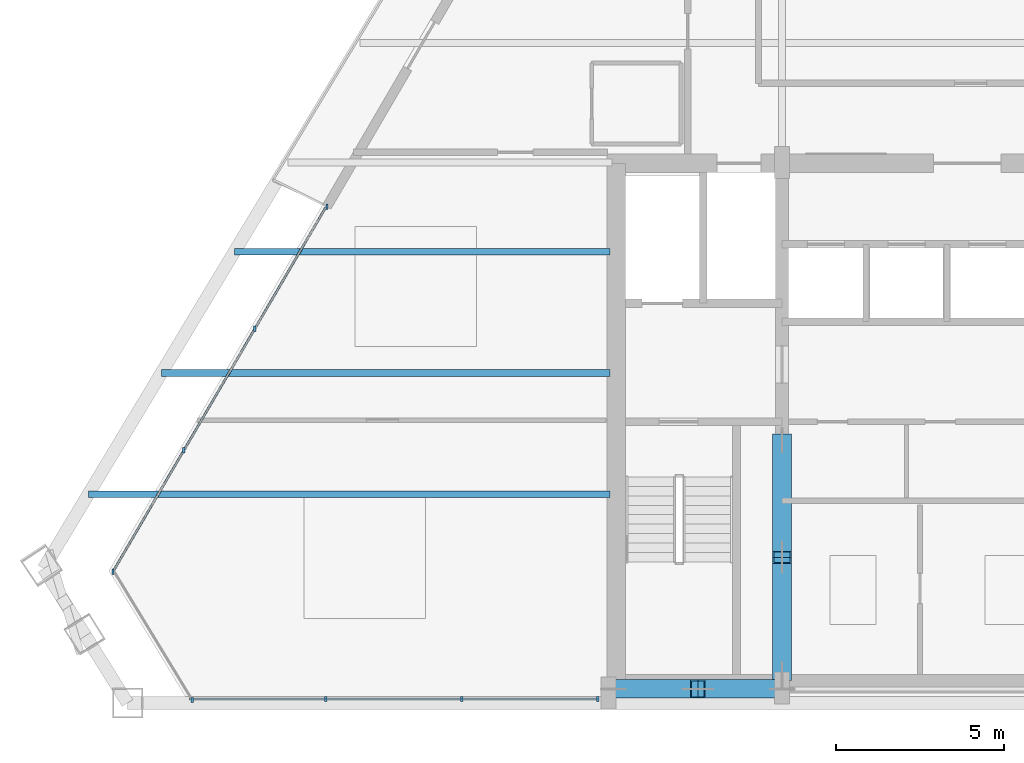
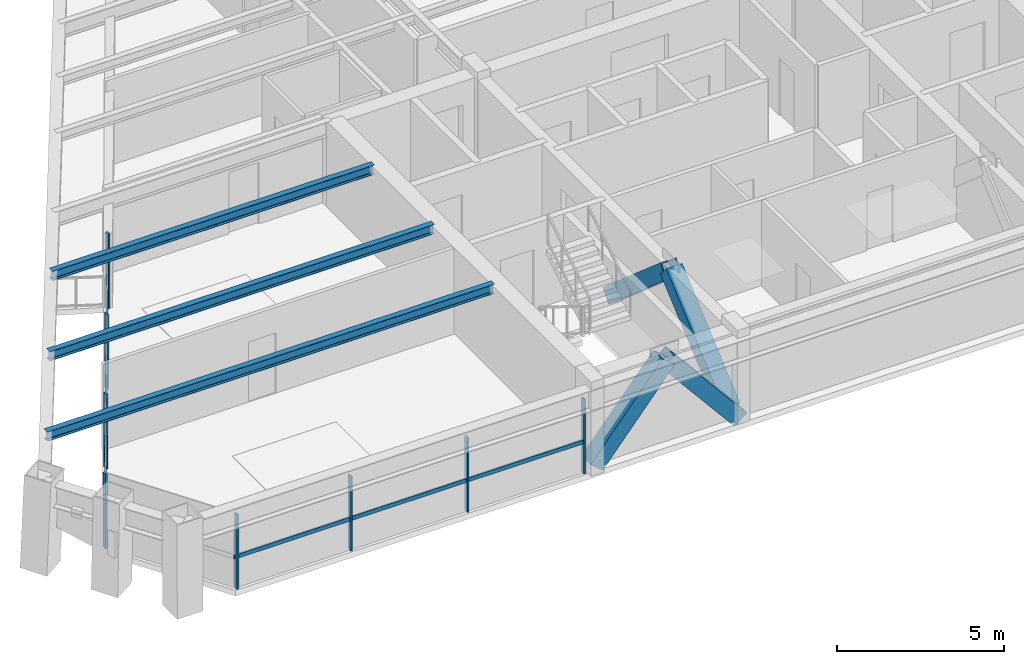
# One storey, part 2 of 13: 18 members, 3 beams, 3 elements without a shape of their own.
"""IFC4 building model written with IfcOpenShell, lengths in metres."""

from ifc_helpers import new_model, si_unit, direction, frame, origin, origin_2d, place, context, subcontext, project, spatial, rectangle, hollow_rectangle, i_section, extrude, source, transform, mapped, material, material_profile, profile_set, type_object, element, aggregate, save


model = new_model("IFC4")

# Units and contexts
model_context = context("Model", 3, precision=1e-05, world=origin(), true_north=direction((0.0, 1.0)))
body_context = subcontext(model_context, "Body", "Model", "MODEL_VIEW")
ifc_project = project(units=[si_unit("LENGTHUNIT", "METRE"), si_unit("AREAUNIT", "SQUARE_METRE"), si_unit("VOLUMEUNIT", "CUBIC_METRE"), si_unit("PLANEANGLEUNIT", "RADIAN"), si_unit("MASSUNIT", "GRAM", prefix="KILO")], contexts=[model_context])

# Site, building, storey
site_placement = place(None, origin())
site = spatial("IfcSite", under=ifc_project, at=site_placement, CompositionType="ELEMENT")
building_placement = place(site_placement, origin())
building = spatial("IfcBuilding", under=site, at=building_placement, Name="Varnakhor Terracotta Tower", CompositionType="ELEMENT")
storey_placement = place(building_placement, frame((0.0, 0.0, 254.5)))
storey = spatial("IfcBuildingStorey", under=building, at=storey_placement, Name="L66", CompositionType="ELEMENT", Elevation=254.5)

# Beams
ifc_material_1 = material(Name="Steel S355", Category="steel")
ifc_material_profile_1 = material_profile(ifc_material_1, i_section(OverallWidth=0.202880859375, OverallDepth=0.346923828125, WebThickness=0.0078125, FlangeThickness=0.013427734375, FilletRadius=0.01806640625, at=origin_2d()), Name="W14X43")
ifc_profile_set_1 = profile_set([ifc_material_profile_1], Name="Steel S355")
beam_type = type_object("IfcBeamType", Name="JST-W14X43", PredefinedType="JOIST", material=ifc_profile_set_1)
shared_shape_1 = source(origin(), body_context, "Body", "SweptSolid", [
    extrude(i_section(OverallWidth=0.202880859375, OverallDepth=0.346923828125, WebThickness=0.0078125, FlangeThickness=0.013427734375, FilletRadius=0.01806640625, at=origin_2d()), origin(), (0.0, 0.0, 1.0), 15.492919921875),
])
beam_1_placement = place(storey_placement, frame((-26.093017578125, 6.199951171875, 2.9765625), z_axis=(1.0, 0.0, 0.0), x_axis=(0.0, 1.0, 0.0)))
element("IfcBeam", 1, at=beam_1_placement, inside=storey, type_object=beam_type, Name="L66 Floor Joist W1", PredefinedType="JOIST", context=body_context, shape_type="MappedRepresentation", body=[
    mapped(shared_shape_1, transform((0.0, 0.0, 0.0), scale=1.0)),
])
shared_shape_2 = source(origin(), body_context, "Body", "SweptSolid", [
    extrude(i_section(OverallWidth=0.202880859375, OverallDepth=0.346923828125, WebThickness=0.0078125, FlangeThickness=0.013427734375, FilletRadius=0.01806640625, at=origin_2d()), origin(), (0.0, 0.0, 1.0), 13.324951171875),
])
beam_2_placement = place(storey_placement, frame((-23.925048828125, 9.800048828125, 2.9765625), z_axis=(1.0, 0.0, 0.0), x_axis=(0.0, 1.0, 0.0)))
element("IfcBeam", 2, at=beam_2_placement, inside=storey, type_object=beam_type, Name="L66 Floor Joist W2", PredefinedType="JOIST", context=body_context, shape_type="MappedRepresentation", body=[
    mapped(shared_shape_2, transform((0.0, 0.0, 0.0), scale=1.0)),
])
shared_shape_3 = source(origin(), body_context, "Body", "SweptSolid", [
    extrude(i_section(OverallWidth=0.202880859375, OverallDepth=0.346923828125, WebThickness=0.0078125, FlangeThickness=0.013427734375, FilletRadius=0.01806640625, at=origin_2d()), origin(), (0.0, 0.0, 1.0), 11.156982421875),
])
beam_3_placement = place(storey_placement, frame((-21.757080078125, 13.39990234375, 2.9765625), z_axis=(1.0, 0.0, 0.0), x_axis=(0.0, 1.0, 0.0)))
element("IfcBeam", 3, at=beam_3_placement, inside=storey, type_object=beam_type, Name="L66 Floor Joist W3", PredefinedType="JOIST", context=body_context, shape_type="MappedRepresentation", body=[
    mapped(shared_shape_3, transform((0.0, 0.0, 0.0), scale=1.0)),
])

# Members
ifc_material_profile_2 = material_profile(ifc_material_1, hollow_rectangle(XDim=0.550048828125, YDim=0.550048828125, WallThickness=0.034912109375, at=origin_2d()), Name="HSS550X550X35")
ifc_profile_set_2 = profile_set([ifc_material_profile_2], Name="Steel S355")
member_type_1 = type_object("IfcMemberType", Name="MBR-MEGA-550", PredefinedType="BRACE", material=ifc_profile_set_2)
shared_shape_4 = source(origin(), body_context, "Body", "SweptSolid", [
    extrude(hollow_rectangle(XDim=0.550048828125, YDim=0.550048828125, WallThickness=0.034912109375, at=origin_2d()), origin(), (0.0, 0.0, 1.0), 3.905029296875),
])
for number, where, z_axis, x_axis, name in (
    (4, (-10.5, 0.419921875, 0.0), (0.640184399664, 0.0, 0.768221279597), (0.0, 1.0, 0.0), "L66 Core Coupled Brace CSWA"),
    (5, (-5.5, 0.419921875, 0.0), (-0.640184399664, 0.0, 0.768221279597), (0.0, -1.0, 0.0), "L66 Core Coupled Brace CSWB"),
):
    element("IfcMember", number, at=place(storey_placement, frame(where, z_axis=z_axis, x_axis=x_axis)), inside=storey, type_object=member_type_1, Name=name, PredefinedType="BRACE", context=body_context, shape_type="MappedRepresentation", body=[
        mapped(shared_shape_4, transform((0.0, 0.0, 0.0), scale=1.0)),
    ])
shared_shape_5 = source(origin(), body_context, "Body", "SweptSolid", [
    extrude(hollow_rectangle(XDim=0.550048828125, YDim=0.550048828125, WallThickness=0.034912109375, at=origin_2d()), origin(), (0.0, 0.0, 1.0), 4.5908203125),
])
for number, where, z_axis, x_axis, name in (
    (6, (-5.5, 0.85009765625, 0.0), (0.0, 0.756931814743, 0.653493862121), (-1.0, 0.0, 0.0), "L66 Core Coupled Brace CWWA"),
    (7, (-5.5, 7.800048828125, 0.0), (0.0, -0.756954524742, 0.653467556557), (1.0, 0.0, 0.0), "L66 Core Coupled Brace CWWB"),
):
    element("IfcMember", number, at=place(storey_placement, frame(where, z_axis=z_axis, x_axis=x_axis)), inside=storey, type_object=member_type_1, Name=name, PredefinedType="BRACE", context=body_context, shape_type="MappedRepresentation", body=[
        mapped(shared_shape_5, transform((0.0, 0.0, 0.0), scale=1.0)),
    ])

# Curtain wall, members
ifc_material_2 = material(Name="Anodised Aluminium Curtain Wall System", Category="aluminium")
curtain_wall_type = type_object("IfcCurtainWallType", Name="CW-SYS-HOTEL-LOGGIA", PredefinedType="NOTDEFINED", material=ifc_material_2)
curtain_wall_1_placement = place(storey_placement, origin())
curtain_wall_1 = element("IfcCurtainWall", 8, at=curtain_wall_1_placement, inside=storey, type_object=curtain_wall_type, Name="L66 South Wing Curtain Wall SSW", PredefinedType="NOTDEFINED")
ifc_material_3 = material(Name="Anodised Aluminium 6063-T6", Category="aluminium")
ifc_material_profile_3 = material_profile(ifc_material_3, rectangle(XDim=0.06494140625, YDim=0.14501953125, at=origin_2d()), Name="ALU TRANSOM 65x145")
ifc_profile_set_3 = profile_set([ifc_material_profile_3], Name="Anodised Aluminium 6063-T6")
member_type_2 = type_object("IfcMemberType", Name="CWT-04", PredefinedType="USERDEFINED", material=ifc_profile_set_3)
shared_shape_6 = source(origin(), body_context, "Body", "SweptSolid", [
    extrude(rectangle(XDim=0.06494140625, YDim=0.14501953125, at=origin_2d()), origin(), (0.0, 0.0, 1.0), 4.039306640625),
])
member_1_placement = place(storey_placement, frame((-10.969970703125, 0.1201171875, 1.146484375), z_axis=(-1.0, 0.0, 0.0), x_axis=(0.0, -1.0, 0.0)))
member_1 = element("IfcMember", 9, at=member_1_placement, type_object=member_type_2, Name="L66 South Wing Curtain Wall SSW Transom 1", ObjectType="TRANSOM", PredefinedType="USERDEFINED", context=body_context, shape_type="MappedRepresentation", body=[
    mapped(shared_shape_6, transform((0.0, 0.0, 0.0), scale=1.0)),
])
member_2_placement = place(storey_placement, frame((-15.00927734375, 0.1201171875, 1.146484375), z_axis=(-1.0, 0.0, 0.0), x_axis=(0.0, -1.0, 0.0)))
member_2 = element("IfcMember", 10, at=member_2_placement, type_object=member_type_2, Name="L66 South Wing Curtain Wall SSW Transom 2", ObjectType="TRANSOM", PredefinedType="USERDEFINED", context=body_context, shape_type="MappedRepresentation", body=[
    mapped(shared_shape_6, transform((0.0, 0.0, 0.0), scale=1.0)),
])
member_3_placement = place(storey_placement, frame((-19.048583984375, 0.1201171875, 1.146484375), z_axis=(-1.0, 0.0, 0.0), x_axis=(0.0, -1.0, 0.0)))
member_3 = element("IfcMember", 11, at=member_3_placement, type_object=member_type_2, Name="L66 South Wing Curtain Wall SSW Transom 3", ObjectType="TRANSOM", PredefinedType="USERDEFINED", context=body_context, shape_type="MappedRepresentation", body=[
    mapped(shared_shape_6, transform((0.0, 0.0, 0.0), scale=1.0)),
])

curtain_wall_2_placement = place(storey_placement, origin())
curtain_wall_2 = element("IfcCurtainWall", 12, at=curtain_wall_2_placement, inside=storey, type_object=curtain_wall_type, Name="L66 W Facet Curtain Wall 1", PredefinedType="NOTDEFINED")
ifc_material_profile_4 = material_profile(ifc_material_3, rectangle(XDim=0.06494140625, YDim=0.159912109375, at=origin_2d()), Name="ALU MULLION 65x160")
ifc_profile_set_4 = profile_set([ifc_material_profile_4], Name="Anodised Aluminium 6063-T6")
member_type_3 = type_object("IfcMemberType", Name="CWM-04", PredefinedType="MULLION", material=ifc_profile_set_4)
shared_shape_7 = source(origin(), body_context, "Body", "SweptSolid", [
    extrude(rectangle(XDim=0.06494140625, YDim=0.159912109375, at=origin_2d()), origin(), (0.0, 0.0, 1.0), 2.72998046875),
])
member_4_placement = place(storey_placement, frame((-25.366943359375, 3.891357421875, 0.0), z_axis=(0.0, 0.0, 1.0), x_axis=(1.0, 0.0, 0.0)))
member_4 = element("IfcMember", 13, at=member_4_placement, type_object=member_type_3, Name="L66 W Facet Curtain Wall 1 Mullion 1", PredefinedType="MULLION", context=body_context, shape_type="MappedRepresentation", body=[
    mapped(shared_shape_7, transform((0.0, 0.0, 0.0), scale=1.0)),
])
member_5_placement = place(storey_placement, frame((-23.259765625, 7.50048828125, 0.0), z_axis=(0.0, 0.0, 1.0), x_axis=(1.0, 0.0, 0.0)))
member_5 = element("IfcMember", 14, at=member_5_placement, type_object=member_type_3, Name="L66 W Facet Curtain Wall 1 Mullion 2", PredefinedType="MULLION", context=body_context, shape_type="MappedRepresentation", body=[
    mapped(shared_shape_7, transform((0.0, 0.0, 0.0), scale=1.0)),
])
member_6_placement = place(storey_placement, frame((-21.152587890625, 11.109375, 0.0), z_axis=(0.0, 0.0, 1.0), x_axis=(1.0, 0.0, 0.0)))
member_6 = element("IfcMember", 15, at=member_6_placement, type_object=member_type_3, Name="L66 W Facet Curtain Wall 1 Mullion 3", PredefinedType="MULLION", context=body_context, shape_type="MappedRepresentation", body=[
    mapped(shared_shape_7, transform((0.0, 0.0, 0.0), scale=1.0)),
])
member_7_placement = place(storey_placement, frame((-19.012939453125, 14.734130859375, 0.0), z_axis=(0.0, 0.0, 1.0), x_axis=(1.0, 0.0, 0.0)))
member_7 = element("IfcMember", 16, at=member_7_placement, type_object=member_type_3, Name="L66 W Loggia Jamb Closure Mullion 1", PredefinedType="MULLION", context=body_context, shape_type="MappedRepresentation", body=[
    mapped(shared_shape_7, transform((0.0, 0.0, 0.0), scale=1.0)),
])

# Member
member_8_placement = place(storey_placement, frame((-10.969970703125, 0.1201171875, 0.0), z_axis=(0.0, 0.0, 1.0), x_axis=(1.0, 0.0, 0.0)))
member_8 = element("IfcMember", 17, at=member_8_placement, type_object=member_type_3, Name="L66 South Wing Curtain Wall SSW Mullion 1", PredefinedType="MULLION", context=body_context, shape_type="MappedRepresentation", body=[
    mapped(shared_shape_7, transform((0.0, 0.0, 0.0), scale=1.0)),
])

member_9_placement = place(storey_placement, frame((-15.00927734375, 0.1201171875, 0.0), z_axis=(0.0, 0.0, 1.0), x_axis=(1.0, 0.0, 0.0)))
member_9 = element("IfcMember", 18, at=member_9_placement, type_object=member_type_3, Name="L66 South Wing Curtain Wall SSW Mullion 2", PredefinedType="MULLION", context=body_context, shape_type="MappedRepresentation", body=[
    mapped(shared_shape_7, transform((0.0, 0.0, 0.0), scale=1.0)),
])

member_10_placement = place(storey_placement, frame((-19.048583984375, 0.1201171875, 0.0), z_axis=(0.0, 0.0, 1.0), x_axis=(1.0, 0.0, 0.0)))
member_10 = element("IfcMember", 19, at=member_10_placement, type_object=member_type_3, Name="L66 South Wing Curtain Wall SSW Mullion 3", PredefinedType="MULLION", context=body_context, shape_type="MappedRepresentation", body=[
    mapped(shared_shape_7, transform((0.0, 0.0, 0.0), scale=1.0)),
])

aggregate(curtain_wall_1, [member_8, member_1, member_9, member_2, member_10, member_3])

# Curtain wall, member
curtain_wall_3_placement = place(storey_placement, origin())
curtain_wall_3 = element("IfcCurtainWall", 20, at=curtain_wall_3_placement, inside=storey, type_object=curtain_wall_type, Name="L66 Facet Curtain Wall 6", PredefinedType="NOTDEFINED")
member_11_placement = place(storey_placement, frame((-23.010986328125, 0.087890625, 0.0), z_axis=(0.0, 0.0, 1.0), x_axis=(1.0, 0.0, 0.0)))
member_11 = element("IfcMember", 21, at=member_11_placement, type_object=member_type_3, Name="L66 Facet Curtain Wall 6 Mullion 1", PredefinedType="MULLION", context=body_context, shape_type="MappedRepresentation", body=[
    mapped(shared_shape_7, transform((0.0, 0.0, 0.0), scale=1.0)),
])
aggregate(curtain_wall_3, [member_11])

# Member
shared_shape_8 = source(origin(), body_context, "Body", "SweptSolid", [
    extrude(rectangle(XDim=0.06494140625, YDim=0.14501953125, at=origin_2d()), origin(), (0.0, 0.0, 1.0), 4.17919921875),
])
member_12_placement = place(storey_placement, frame((-25.366943359375, 3.891357421875, 1.146484375), z_axis=(0.504201516714, 0.863586029613, 0.0), x_axis=(-0.863586029613, 0.504201516714, 0.0)))
member_12 = element("IfcMember", 22, at=member_12_placement, type_object=member_type_2, Name="L66 W Facet Curtain Wall 1 Transom 1", ObjectType="TRANSOM", PredefinedType="USERDEFINED", context=body_context, shape_type="MappedRepresentation", body=[
    mapped(shared_shape_8, transform((0.0, 0.0, 0.0), scale=1.0)),
])

shared_shape_9 = source(origin(), body_context, "Body", "SweptSolid", [
    extrude(rectangle(XDim=0.06494140625, YDim=0.14501953125, at=origin_2d()), origin(), (0.0, 0.0, 1.0), 4.178955078125),
])
member_13_placement = place(storey_placement, frame((-23.259765625, 7.50048828125, 1.146484375), z_axis=(0.504226954012, 0.863571177639, 0.0), x_axis=(-0.863571177639, 0.504226954012, 0.0)))
member_13 = element("IfcMember", 23, at=member_13_placement, type_object=member_type_2, Name="L66 W Facet Curtain Wall 1 Transom 2", ObjectType="TRANSOM", PredefinedType="USERDEFINED", context=body_context, shape_type="MappedRepresentation", body=[
    mapped(shared_shape_9, transform((0.0, 0.0, 0.0), scale=1.0)),
])

member_14_placement = place(storey_placement, frame((-21.152587890625, 11.109375, 1.146484375), z_axis=(0.504226954012, 0.863571177639, 0.0), x_axis=(-0.863571177639, 0.504226954012, 0.0)))
member_14 = element("IfcMember", 24, at=member_14_placement, type_object=member_type_2, Name="L66 W Facet Curtain Wall 1 Transom 3", ObjectType="TRANSOM", PredefinedType="USERDEFINED", context=body_context, shape_type="MappedRepresentation", body=[
    mapped(shared_shape_9, transform((0.0, 0.0, 0.0), scale=1.0)),
])

aggregate(curtain_wall_2, [member_4, member_12, member_5, member_13, member_6, member_14, member_7])

save(model, "model.ifc")
